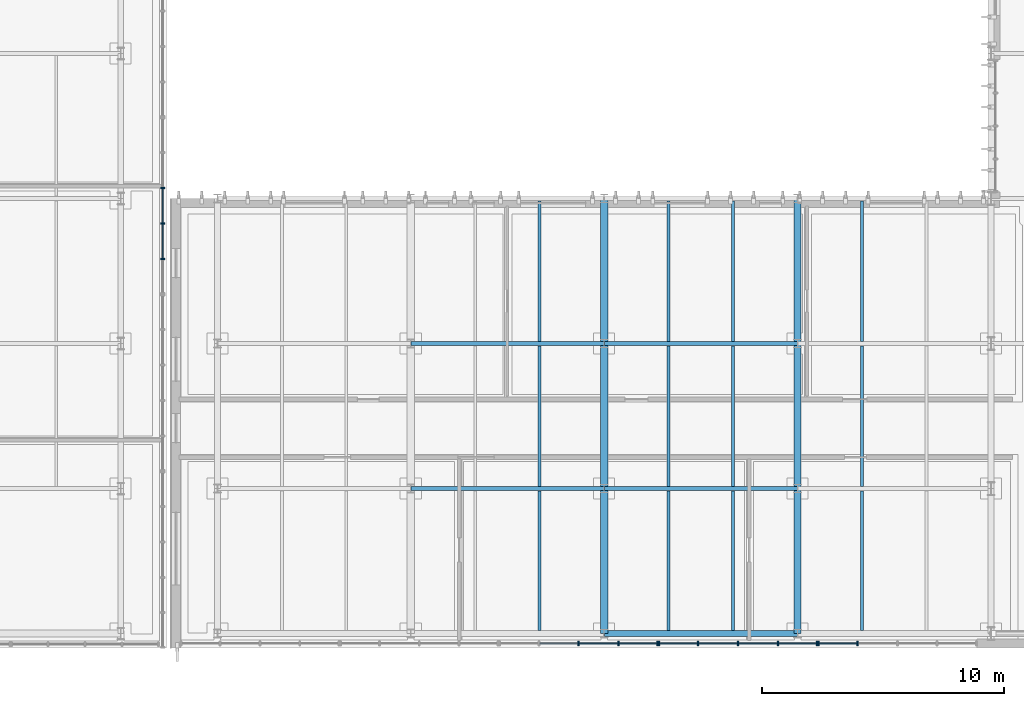
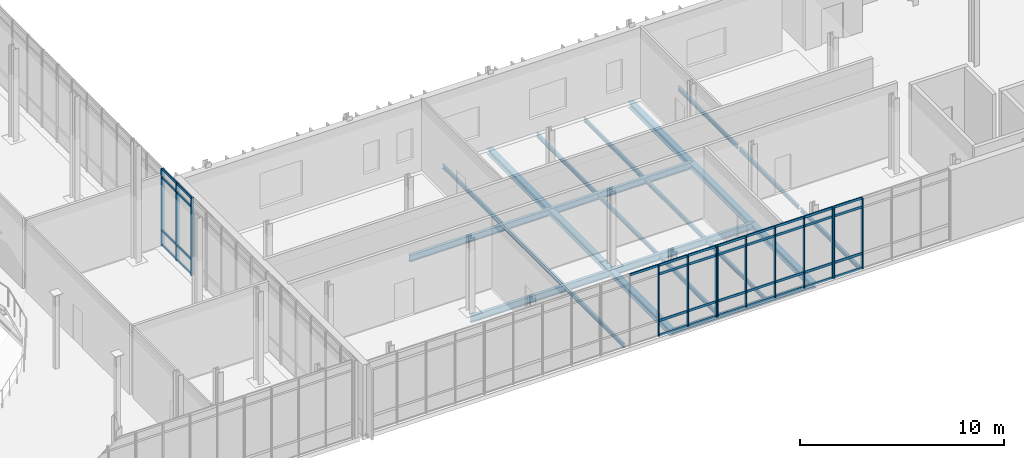
# One storey, part 27 of 86: 50 members, 23 beams, 4 elements without a shape of their own.
"""IFC4 building model written with IfcOpenShell, lengths in metres."""

import ifcopenshell
import ifcopenshell.guid

model = None  # the IFC model being written
_history = None  # IfcOwnerHistory: only IFC2X3 demands one
_inside = {}  # id of a spatial element -> (the spatial element, [elements in it])
_under = {}  # id of a project, library or spatial element -> (it, [spatial elements below it])
_declared = {}  # id of a project -> (the project, [libraries it declares])
_typed = {}  # id of a type object -> (the type object, [elements of that type])
_made_of = {}  # id of a material, layer set ... -> (it, [elements and type objects made of it])


def new_model(schema):
    """Start an empty IFC model of exactly this schema.

    Asked for "IFC4X3", IfcOpenShell would pick the latest addendum, in which some entities
    have other attributes; the version numbers below select the first issue.
    IFC2X3 requires an IfcOwnerHistory on every rooted entity: one is made here for all.
    """
    global model, _history
    if schema == "IFC4X3":
        model = ifcopenshell.file(schema_version=(4, 3, 0, 0))
    else:
        model = ifcopenshell.file(schema=schema)
    _inside.clear()
    _under.clear()
    _declared.clear()
    _typed.clear()
    _made_of.clear()
    _history = None
    if model.schema == "IFC2X3":
        org = make("IfcOrganization", Name="unknown")
        user = make(
            "IfcPersonAndOrganization",
            ThePerson=make("IfcPerson", FamilyName="unknown"),
            TheOrganization=org,
        )
        app = make(
            "IfcApplication",
            ApplicationDeveloper=org,
            Version="unknown",
            ApplicationFullName="unknown",
            ApplicationIdentifier="unknown",
        )
        _history = make(
            "IfcOwnerHistory",
            OwningUser=user,
            OwningApplication=app,
            ChangeAction="ADDED",
            CreationDate=0,
        )
    return model


def make(cls, **values):
    """One entity of the class cls with the attributes given. An attribute that is None is left unset."""
    return model.create_entity(
        cls, **{name: value for name, value in values.items() if value is not None}
    )


def rooted(cls, **values):
    """An entity with a GlobalId (a new one), such as an element, a storey or a relation."""
    return make(cls, GlobalId=ifcopenshell.guid.new(), OwnerHistory=_history, **values)


def si_unit(unit_type, name, prefix=None):
    """IfcSIUnit, for example si_unit("LENGTHUNIT", "METRE", prefix="MILLI")."""
    return make("IfcSIUnit", UnitType=unit_type, Prefix=prefix, Name=name)


def assignment(units):
    """IfcUnitAssignment: the units of a project."""
    return None if units is None else make("IfcUnitAssignment", Units=units)


def point(xyz):
    """IfcCartesianPoint."""
    return None if xyz is None else make("IfcCartesianPoint", Coordinates=xyz)


def direction(xyz):
    """IfcDirection."""
    return None if xyz is None else make("IfcDirection", DirectionRatios=xyz)


def frame(location, z_axis=None, x_axis=None):
    """IfcAxis2Placement3D, a coordinate frame: its origin and axes. An axis left out is left unset."""
    return make(
        "IfcAxis2Placement3D",
        Location=point(location),
        Axis=direction(z_axis),
        RefDirection=direction(x_axis),
    )


def frame_2d(location, x_axis=None):
    """IfcAxis2Placement2D, a coordinate frame in the plane: its origin and x axis."""
    return make(
        "IfcAxis2Placement2D", Location=point(location), RefDirection=direction(x_axis)
    )


def origin():
    """The frame at (0, 0, 0) with its axes left unset."""
    return frame((0.0, 0.0, 0.0))


def origin_2d():
    """The frame at (0, 0) in the plane with its x axis left unset."""
    return frame_2d((0.0, 0.0))


def place(relative_to, where):
    """IfcLocalPlacement: puts the frame where relative to a parent placement (None: the world)."""
    return make(
        "IfcLocalPlacement", PlacementRelTo=relative_to, RelativePlacement=where
    )


def context(
    kind, dimensions, precision=None, world=None, true_north=None, identifier=None
):
    """IfcGeometricRepresentationContext, for example the 3D "Model" context."""
    return make(
        "IfcGeometricRepresentationContext",
        ContextIdentifier=identifier,
        ContextType=kind,
        CoordinateSpaceDimension=dimensions,
        Precision=precision,
        WorldCoordinateSystem=world,
        TrueNorth=true_north,
    )


def subcontext(parent, identifier, kind, view, scale=None):
    """IfcGeometricRepresentationSubContext, for example "Body" below "Model"."""
    return make(
        "IfcGeometricRepresentationSubContext",
        ContextIdentifier=identifier,
        ContextType=kind,
        ParentContext=parent,
        TargetScale=scale,
        TargetView=view,
    )


def project(units=None, contexts=None):
    """IfcProject with its units and contexts."""
    return rooted(
        "IfcProject",
        Name="project",
        RepresentationContexts=contexts,
        UnitsInContext=assignment(units),
    )


def spatial(cls, under=None, at=None, **own):
    """A site, building, storey or space (cls), placed at a placement, below another one or the project."""
    s = rooted(cls, ObjectPlacement=at, **own)
    if under is not None:
        _under.setdefault(under.id(), (under, []))[1].append(s)
    return s


def profile(cls, at=None, kind="AREA", **sizes):
    """A parametric profile (cls). Its sizes go by their IFC names, for example OverallWidth=200.0."""
    return make(cls, ProfileType=kind, Position=at, **sizes)


def rectangle(**sizes):
    """IfcRectangleProfileDef."""
    return profile("IfcRectangleProfileDef", **sizes)


def i_section(**sizes):
    """IfcIShapeProfileDef."""
    return profile("IfcIShapeProfileDef", **sizes)


def extrude(swept, where, along, depth):
    """IfcExtrudedAreaSolid: the profile swept, set in the frame where, extruded along a direction by depth."""
    return make(
        "IfcExtrudedAreaSolid",
        SweptArea=swept,
        Position=where,
        ExtrudedDirection=direction(along),
        Depth=depth,
    )


def shape(context_of_items, identifier, shape_type, items):
    """IfcShapeRepresentation: the items that make up one representation, for example the "Body"."""
    return make(
        "IfcShapeRepresentation",
        ContextOfItems=context_of_items,
        RepresentationIdentifier=identifier,
        RepresentationType=shape_type,
        Items=items,
    )


def material(Name=None, Category=None):
    """IfcMaterial."""
    return make("IfcMaterial", Name=Name, Category=Category)


def material_profile(
    of_material, cross_section, Name=None, Category=None, Priority=None
):
    """IfcMaterialProfile: a cross section and its material."""
    return make(
        "IfcMaterialProfile",
        Name=Name,
        Material=of_material,
        Profile=cross_section,
        Priority=Priority,
        Category=Category,
    )


def profile_set(profiles, Name=None, composite=None):
    """IfcMaterialProfileSet."""
    return make(
        "IfcMaterialProfileSet",
        Name=Name,
        MaterialProfiles=profiles,
        CompositeProfile=composite,
    )


def made_of(thing, what):
    """Note that an element or type object is made of a material, layer set ...; save() writes the relation."""
    if what is not None:
        _made_of.setdefault(what.id(), (what, []))[1].append(thing)
    return thing


def type_object(cls, material=None, **own):
    """A type object (cls), such as IfcWallType, which elements share."""
    return made_of(rooted(cls, **own), material)


def element(
    cls,
    number,
    at=None,
    inside=None,
    cuts=None,
    type_object=None,
    material=None,
    context=None,
    identifier="Body",
    shape_type=None,
    held_by="IfcProductDefinitionShape",
    body=None,
    shapes=None,
    **own,
):
    """One element of the class cls, such as IfcWall. Its Tag is "e" and its number.

    at: its placement. inside: the storey or other place that contains it. cuts: it is an
    opening in that element (IfcRelVoidsElement). A single representation is given by context,
    identifier, shape_type and body (its items); several are given by shapes. held_by: the class
    of the entity that holds the representations. save() writes the other relations.
    """
    e = rooted(cls, Tag="e%d" % number, ObjectPlacement=at, **own)
    if body is not None:
        shapes = [shape(context, identifier, shape_type, body)]
    if shapes is not None:
        e.Representation = make(held_by, Representations=shapes)
    if inside is not None:
        _inside.setdefault(inside.id(), (inside, []))[1].append(e)
    if cuts is not None:
        rooted(
            "IfcRelVoidsElement", RelatingBuildingElement=cuts, RelatedOpeningElement=e
        )
    if type_object is not None:
        _typed.setdefault(type_object.id(), (type_object, []))[1].append(e)
    return made_of(e, material)


def aggregate(whole, parts):
    """IfcRelAggregates: a whole, such as a stair, and the parts it consists of."""
    return rooted("IfcRelAggregates", RelatingObject=whole, RelatedObjects=parts)


def save(model, path):
    """Write the relations noted so far, then the file.

    IfcRelAggregates (storeys below a building ...), IfcRelContainedInSpatialStructure (elements
    in a storey), IfcRelDefinesByType, IfcRelAssociatesMaterial and IfcRelDeclares: one each for
    every whole, place, type object, material and project.
    """
    for whole, parts in _under.values():
        aggregate(whole, parts)
    for where, things in _inside.values():
        rooted(
            "IfcRelContainedInSpatialStructure",
            RelatedElements=things,
            RelatingStructure=where,
        )
    for kind, things in _typed.values():
        rooted("IfcRelDefinesByType", RelatedObjects=things, RelatingType=kind)
    for what, things in _made_of.values():
        rooted("IfcRelAssociatesMaterial", RelatedObjects=things, RelatingMaterial=what)
    for by, libraries in _declared.values():
        rooted("IfcRelDeclares", RelatingContext=by, RelatedDefinitions=libraries)
    model.write(path)


model = new_model("IFC4")

# Units and contexts
model_context = context("Model", 3, precision=1e-05, world=origin(), true_north=direction((0.0, 1.0)))
body_context = subcontext(model_context, "Body", "Model", "MODEL_VIEW")
ifc_project = project(units=[si_unit("LENGTHUNIT", "METRE"), si_unit("AREAUNIT", "SQUARE_METRE"), si_unit("VOLUMEUNIT", "CUBIC_METRE"), si_unit("PLANEANGLEUNIT", "RADIAN"), si_unit("MASSUNIT", "GRAM", prefix="KILO")], contexts=[model_context])

# Site, building, storey
site_placement = place(None, origin())
site = spatial("IfcSite", under=ifc_project, at=site_placement, CompositionType="ELEMENT")
building_placement = place(site_placement, origin())
building = spatial("IfcBuilding", under=site, at=building_placement, Name="Cymarion Research Institute", CompositionType="ELEMENT")
storey_placement = place(building_placement, frame((0.0, 0.0, 13.800048828125)))
storey = spatial("IfcBuildingStorey", under=building, at=storey_placement, Name="L03", CompositionType="ELEMENT", Elevation=13.800048828125)

# Curtain wall, members
ifc_material_1 = material(Name="Anodised aluminium unitised curtain wall with Low-E glazing", Category="aluminium")
curtain_wall_type_1 = type_object("IfcCurtainWallType", Name="UNITISED CURTAIN WALL CW26 6590X4240", PredefinedType="NOTDEFINED", material=ifc_material_1)
curtain_wall_1_placement = place(storey_placement, origin())
curtain_wall_1 = element("IfcCurtainWall", 1, at=curtain_wall_1_placement, inside=storey, type_object=curtain_wall_type_1, Name="L03 V1 unitised curtain wall CW26 #121", PredefinedType="NOTDEFINED")
ifc_material_2 = material(Name="Anodised aluminium framing", Category="aluminium")
ifc_material_profile_1 = material_profile(ifc_material_2, rectangle(XDim=0.06005859375, YDim=0.179931640625, at=origin_2d()), Name="ALU MULLION 60x180")
ifc_profile_set_1 = profile_set([ifc_material_profile_1], Name="Anodised aluminium framing")
member_type_1 = type_object("IfcMemberType", Name="CURTAIN WALL MULLION ML01 60X180", PredefinedType="MULLION", material=ifc_profile_set_1)
member_1_placement = place(storey_placement, frame((121.544677734375, 5.090087890625, 0.0), z_axis=(0.0, 0.0, 1.0), x_axis=(1.0, 0.0, 0.0)))
member_1 = element("IfcMember", 2, at=member_1_placement, type_object=member_type_1, Name="CW26 mullion 3", PredefinedType="MULLION", context=body_context, shape_type="SweptSolid", body=[
    extrude(rectangle(XDim=0.06005859375, YDim=0.179931640625, at=origin_2d()), origin(), (0.0, 0.0, 1.0), 4.239990234375),
])
member_2_placement = place(storey_placement, frame((123.193115234375, 5.090087890625, 0.0), z_axis=(0.0, 0.0, 1.0), x_axis=(1.0, 0.0, 0.0)))
member_2 = element("IfcMember", 3, at=member_2_placement, type_object=member_type_1, Name="CW26 mullion 4", PredefinedType="MULLION", context=body_context, shape_type="SweptSolid", body=[
    extrude(rectangle(XDim=0.06005859375, YDim=0.179931640625, at=origin_2d()), origin(), (0.0, 0.0, 1.0), 4.239990234375),
])
member_3_placement = place(storey_placement, frame((124.811279296875, 5.090087890625, 0.0), z_axis=(0.0, 0.0, 1.0), x_axis=(1.0, 0.0, 0.0)))
member_3 = element("IfcMember", 4, at=member_3_placement, type_object=member_type_1, Name="CW26 mullion 5", PredefinedType="MULLION", context=body_context, shape_type="SweptSolid", body=[
    extrude(rectangle(XDim=0.06005859375, YDim=0.179931640625, at=origin_2d()), origin(), (0.0, 0.0, 1.0), 4.239990234375),
])

curtain_wall_2_placement = place(storey_placement, origin())
curtain_wall_2 = element("IfcCurtainWall", 5, at=curtain_wall_2_placement, inside=storey, type_object=curtain_wall_type_1, Name="L03 V1 unitised curtain wall CW26 #122", PredefinedType="NOTDEFINED")
member_4_placement = place(storey_placement, frame((124.871337890625, 5.090087890625, 0.0), z_axis=(0.0, 0.0, 1.0), x_axis=(1.0, 0.0, 0.0)))
member_4 = element("IfcMember", 6, at=member_4_placement, type_object=member_type_1, Name="CW26 mullion 1", PredefinedType="MULLION", context=body_context, shape_type="SweptSolid", body=[
    extrude(rectangle(XDim=0.06005859375, YDim=0.179931640625, at=origin_2d()), origin(), (0.0, 0.0, 1.0), 4.239990234375),
])
member_5_placement = place(storey_placement, frame((126.489501953125, 5.090087890625, 0.0), z_axis=(0.0, 0.0, 1.0), x_axis=(1.0, 0.0, 0.0)))
member_5 = element("IfcMember", 7, at=member_5_placement, type_object=member_type_1, Name="CW26 mullion 2", PredefinedType="MULLION", context=body_context, shape_type="SweptSolid", body=[
    extrude(rectangle(XDim=0.06005859375, YDim=0.179931640625, at=origin_2d()), origin(), (0.0, 0.0, 1.0), 4.239990234375),
])
member_6_placement = place(storey_placement, frame((128.137939453125, 5.090087890625, 0.0), z_axis=(0.0, 0.0, 1.0), x_axis=(1.0, 0.0, 0.0)))
member_6 = element("IfcMember", 8, at=member_6_placement, type_object=member_type_1, Name="CW26 mullion 3", PredefinedType="MULLION", context=body_context, shape_type="SweptSolid", body=[
    extrude(rectangle(XDim=0.06005859375, YDim=0.179931640625, at=origin_2d()), origin(), (0.0, 0.0, 1.0), 4.239990234375),
])
member_7_placement = place(storey_placement, frame((129.7861328125, 5.090087890625, 0.0), z_axis=(0.0, 0.0, 1.0), x_axis=(1.0, 0.0, 0.0)))
member_7 = element("IfcMember", 9, at=member_7_placement, type_object=member_type_1, Name="CW26 mullion 4", PredefinedType="MULLION", context=body_context, shape_type="SweptSolid", body=[
    extrude(rectangle(XDim=0.06005859375, YDim=0.179931640625, at=origin_2d()), origin(), (0.0, 0.0, 1.0), 4.239990234375),
])
member_8_placement = place(storey_placement, frame((131.404296875, 5.090087890625, 0.0), z_axis=(0.0, 0.0, 1.0), x_axis=(1.0, 0.0, 0.0)))
member_8 = element("IfcMember", 10, at=member_8_placement, type_object=member_type_1, Name="CW26 mullion 5", PredefinedType="MULLION", context=body_context, shape_type="SweptSolid", body=[
    extrude(rectangle(XDim=0.06005859375, YDim=0.179931640625, at=origin_2d()), origin(), (0.0, 0.0, 1.0), 4.239990234375),
])

curtain_wall_3_placement = place(storey_placement, origin())
curtain_wall_3 = element("IfcCurtainWall", 11, at=curtain_wall_3_placement, inside=storey, type_object=curtain_wall_type_1, Name="L03 V1 unitised curtain wall CW26 #123", PredefinedType="NOTDEFINED")
member_9_placement = place(storey_placement, frame((131.46435546875, 5.090087890625, 0.0), z_axis=(0.0, 0.0, 1.0), x_axis=(1.0, 0.0, 0.0)))
member_9 = element("IfcMember", 12, at=member_9_placement, type_object=member_type_1, Name="CW26 mullion 1", PredefinedType="MULLION", context=body_context, shape_type="SweptSolid", body=[
    extrude(rectangle(XDim=0.06005859375, YDim=0.179931640625, at=origin_2d()), origin(), (0.0, 0.0, 1.0), 4.239990234375),
])
member_10_placement = place(storey_placement, frame((133.082763671875, 5.090087890625, 0.0), z_axis=(0.0, 0.0, 1.0), x_axis=(1.0, 0.0, 0.0)))
member_10 = element("IfcMember", 13, at=member_10_placement, type_object=member_type_1, Name="CW26 mullion 2", PredefinedType="MULLION", context=body_context, shape_type="SweptSolid", body=[
    extrude(rectangle(XDim=0.06005859375, YDim=0.179931640625, at=origin_2d()), origin(), (0.0, 0.0, 1.0), 4.239990234375),
])

curtain_wall_type_2 = type_object("IfcCurtainWallType", Name="UNITISED CURTAIN WALL CW28 7320X4620", PredefinedType="NOTDEFINED", material=ifc_material_1)
curtain_wall_4_placement = place(storey_placement, origin())
curtain_wall_4 = element("IfcCurtainWall", 14, at=curtain_wall_4_placement, inside=storey, type_object=curtain_wall_type_2, Name="L03 V2 unitised curtain wall CW28 #139", PredefinedType="NOTDEFINED")
member_11_placement = place(storey_placement, frame((104.340087890625, 21.00390625, 0.0), z_axis=(0.0, 0.0, 1.0), x_axis=(0.0, 1.0, 0.0)))
member_11 = element("IfcMember", 15, at=member_11_placement, type_object=member_type_1, Name="CW28 mullion 2", PredefinedType="MULLION", context=body_context, shape_type="SweptSolid", body=[
    extrude(rectangle(XDim=0.06005859375, YDim=0.179931640625, at=origin_2d()), origin(), (0.0, 0.0, 1.0), 4.619873046875),
])
member_12_placement = place(storey_placement, frame((104.340087890625, 22.468017578125, 0.0), z_axis=(0.0, 0.0, 1.0), x_axis=(0.0, 1.0, 0.0)))
member_12 = element("IfcMember", 16, at=member_12_placement, type_object=member_type_1, Name="CW28 mullion 3", PredefinedType="MULLION", context=body_context, shape_type="SweptSolid", body=[
    extrude(rectangle(XDim=0.06005859375, YDim=0.179931640625, at=origin_2d()), origin(), (0.0, 0.0, 1.0), 4.619873046875),
])
member_13_placement = place(storey_placement, frame((104.340087890625, 23.931884765625, 0.0), z_axis=(0.0, 0.0, 1.0), x_axis=(0.0, 1.0, 0.0)))
member_13 = element("IfcMember", 17, at=member_13_placement, type_object=member_type_1, Name="CW28 mullion 4", PredefinedType="MULLION", context=body_context, shape_type="SweptSolid", body=[
    extrude(rectangle(XDim=0.06005859375, YDim=0.179931640625, at=origin_2d()), origin(), (0.0, 0.0, 1.0), 4.619873046875),
])

# Member
ifc_material_profile_2 = material_profile(ifc_material_2, rectangle(XDim=0.06005859375, YDim=0.14990234375, at=origin_2d()), Name="ALU TRANSOM 60x150")
ifc_profile_set_2 = profile_set([ifc_material_profile_2], Name="Anodised aluminium framing")
member_type_2 = type_object("IfcMemberType", Name="CURTAIN WALL TRANSOM TR01 60X150", PredefinedType="USERDEFINED", material=ifc_profile_set_2)
member_14_placement = place(storey_placement, frame((119.926513671875, 5.090087890625, 4.2099609375), z_axis=(1.0, 0.0, 0.0), x_axis=(0.0, 1.0, 0.0)))
member_14 = element("IfcMember", 18, at=member_14_placement, type_object=member_type_2, Name="CW26 transom 2.4", ObjectType="TRANSOM", PredefinedType="USERDEFINED", context=body_context, shape_type="SweptSolid", body=[
    extrude(rectangle(XDim=0.06005859375, YDim=0.14990234375, at=origin_2d()), origin(), (0.0, 0.0, 1.0), 1.588134765625),
])

member_15_placement = place(storey_placement, frame((121.57470703125, 5.090087890625, 0.030029296875), z_axis=(1.0, 0.0, 0.0), x_axis=(0.0, 1.0, 0.0)))
member_15 = element("IfcMember", 19, at=member_15_placement, type_object=member_type_2, Name="CW26 transom 3.1", ObjectType="TRANSOM", PredefinedType="USERDEFINED", context=body_context, shape_type="SweptSolid", body=[
    extrude(rectangle(XDim=0.06005859375, YDim=0.14990234375, at=origin_2d()), origin(), (0.0, 0.0, 1.0), 1.58837890625),
])

member_16_placement = place(storey_placement, frame((121.57470703125, 5.090087890625, 0.89990234375), z_axis=(1.0, 0.0, 0.0), x_axis=(0.0, 1.0, 0.0)))
member_16 = element("IfcMember", 20, at=member_16_placement, type_object=member_type_2, Name="CW26 transom 3.2", ObjectType="TRANSOM", PredefinedType="USERDEFINED", context=body_context, shape_type="SweptSolid", body=[
    extrude(rectangle(XDim=0.06005859375, YDim=0.14990234375, at=origin_2d()), origin(), (0.0, 0.0, 1.0), 1.58837890625),
])

member_17_placement = place(storey_placement, frame((121.57470703125, 5.090087890625, 3.68994140625), z_axis=(1.0, 0.0, 0.0), x_axis=(0.0, 1.0, 0.0)))
member_17 = element("IfcMember", 21, at=member_17_placement, type_object=member_type_2, Name="CW26 transom 3.3", ObjectType="TRANSOM", PredefinedType="USERDEFINED", context=body_context, shape_type="SweptSolid", body=[
    extrude(rectangle(XDim=0.06005859375, YDim=0.14990234375, at=origin_2d()), origin(), (0.0, 0.0, 1.0), 1.58837890625),
])

member_18_placement = place(storey_placement, frame((121.57470703125, 5.090087890625, 4.2099609375), z_axis=(1.0, 0.0, 0.0), x_axis=(0.0, 1.0, 0.0)))
member_18 = element("IfcMember", 22, at=member_18_placement, type_object=member_type_2, Name="CW26 transom 3.4", ObjectType="TRANSOM", PredefinedType="USERDEFINED", context=body_context, shape_type="SweptSolid", body=[
    extrude(rectangle(XDim=0.06005859375, YDim=0.14990234375, at=origin_2d()), origin(), (0.0, 0.0, 1.0), 1.58837890625),
])

member_19_placement = place(storey_placement, frame((123.22314453125, 5.090087890625, 0.030029296875), z_axis=(1.0, 0.0, 0.0), x_axis=(0.0, 1.0, 0.0)))
member_19 = element("IfcMember", 23, at=member_19_placement, type_object=member_type_2, Name="CW26 transom 4.1", ObjectType="TRANSOM", PredefinedType="USERDEFINED", context=body_context, shape_type="SweptSolid", body=[
    extrude(rectangle(XDim=0.06005859375, YDim=0.14990234375, at=origin_2d()), origin(), (0.0, 0.0, 1.0), 1.55810546875),
])

member_20_placement = place(storey_placement, frame((123.22314453125, 5.090087890625, 0.89990234375), z_axis=(1.0, 0.0, 0.0), x_axis=(0.0, 1.0, 0.0)))
member_20 = element("IfcMember", 24, at=member_20_placement, type_object=member_type_2, Name="CW26 transom 4.2", ObjectType="TRANSOM", PredefinedType="USERDEFINED", context=body_context, shape_type="SweptSolid", body=[
    extrude(rectangle(XDim=0.06005859375, YDim=0.14990234375, at=origin_2d()), origin(), (0.0, 0.0, 1.0), 1.55810546875),
])

member_21_placement = place(storey_placement, frame((123.22314453125, 5.090087890625, 3.68994140625), z_axis=(1.0, 0.0, 0.0), x_axis=(0.0, 1.0, 0.0)))
member_21 = element("IfcMember", 25, at=member_21_placement, type_object=member_type_2, Name="CW26 transom 4.3", ObjectType="TRANSOM", PredefinedType="USERDEFINED", context=body_context, shape_type="SweptSolid", body=[
    extrude(rectangle(XDim=0.06005859375, YDim=0.14990234375, at=origin_2d()), origin(), (0.0, 0.0, 1.0), 1.55810546875),
])

member_22_placement = place(storey_placement, frame((123.22314453125, 5.090087890625, 4.2099609375), z_axis=(1.0, 0.0, 0.0), x_axis=(0.0, 1.0, 0.0)))
member_22 = element("IfcMember", 26, at=member_22_placement, type_object=member_type_2, Name="CW26 transom 4.4", ObjectType="TRANSOM", PredefinedType="USERDEFINED", context=body_context, shape_type="SweptSolid", body=[
    extrude(rectangle(XDim=0.06005859375, YDim=0.14990234375, at=origin_2d()), origin(), (0.0, 0.0, 1.0), 1.55810546875),
])

aggregate(curtain_wall_1, [member_1, member_2, member_3, member_14, member_15, member_16, member_17, member_18, member_19, member_20, member_21, member_22])

member_23_placement = place(storey_placement, frame((124.9013671875, 5.090087890625, 0.030029296875), z_axis=(1.0, 0.0, 0.0), x_axis=(0.0, 1.0, 0.0)))
member_23 = element("IfcMember", 27, at=member_23_placement, type_object=member_type_2, Name="CW26 transom 1.1", ObjectType="TRANSOM", PredefinedType="USERDEFINED", context=body_context, shape_type="SweptSolid", body=[
    extrude(rectangle(XDim=0.06005859375, YDim=0.14990234375, at=origin_2d()), origin(), (0.0, 0.0, 1.0), 1.55810546875),
])

member_24_placement = place(storey_placement, frame((124.9013671875, 5.090087890625, 0.89990234375), z_axis=(1.0, 0.0, 0.0), x_axis=(0.0, 1.0, 0.0)))
member_24 = element("IfcMember", 28, at=member_24_placement, type_object=member_type_2, Name="CW26 transom 1.2", ObjectType="TRANSOM", PredefinedType="USERDEFINED", context=body_context, shape_type="SweptSolid", body=[
    extrude(rectangle(XDim=0.06005859375, YDim=0.14990234375, at=origin_2d()), origin(), (0.0, 0.0, 1.0), 1.55810546875),
])

member_25_placement = place(storey_placement, frame((124.9013671875, 5.090087890625, 3.68994140625), z_axis=(1.0, 0.0, 0.0), x_axis=(0.0, 1.0, 0.0)))
member_25 = element("IfcMember", 29, at=member_25_placement, type_object=member_type_2, Name="CW26 transom 1.3", ObjectType="TRANSOM", PredefinedType="USERDEFINED", context=body_context, shape_type="SweptSolid", body=[
    extrude(rectangle(XDim=0.06005859375, YDim=0.14990234375, at=origin_2d()), origin(), (0.0, 0.0, 1.0), 1.55810546875),
])

member_26_placement = place(storey_placement, frame((124.9013671875, 5.090087890625, 4.2099609375), z_axis=(1.0, 0.0, 0.0), x_axis=(0.0, 1.0, 0.0)))
member_26 = element("IfcMember", 30, at=member_26_placement, type_object=member_type_2, Name="CW26 transom 1.4", ObjectType="TRANSOM", PredefinedType="USERDEFINED", context=body_context, shape_type="SweptSolid", body=[
    extrude(rectangle(XDim=0.06005859375, YDim=0.14990234375, at=origin_2d()), origin(), (0.0, 0.0, 1.0), 1.55810546875),
])

member_27_placement = place(storey_placement, frame((126.51953125, 5.090087890625, 0.030029296875), z_axis=(1.0, 0.0, 0.0), x_axis=(0.0, 1.0, 0.0)))
member_27 = element("IfcMember", 31, at=member_27_placement, type_object=member_type_2, Name="CW26 transom 2.1", ObjectType="TRANSOM", PredefinedType="USERDEFINED", context=body_context, shape_type="SweptSolid", body=[
    extrude(rectangle(XDim=0.06005859375, YDim=0.14990234375, at=origin_2d()), origin(), (0.0, 0.0, 1.0), 1.58837890625),
])

member_28_placement = place(storey_placement, frame((126.51953125, 5.090087890625, 0.89990234375), z_axis=(1.0, 0.0, 0.0), x_axis=(0.0, 1.0, 0.0)))
member_28 = element("IfcMember", 32, at=member_28_placement, type_object=member_type_2, Name="CW26 transom 2.2", ObjectType="TRANSOM", PredefinedType="USERDEFINED", context=body_context, shape_type="SweptSolid", body=[
    extrude(rectangle(XDim=0.06005859375, YDim=0.14990234375, at=origin_2d()), origin(), (0.0, 0.0, 1.0), 1.58837890625),
])

member_29_placement = place(storey_placement, frame((126.51953125, 5.090087890625, 3.68994140625), z_axis=(1.0, 0.0, 0.0), x_axis=(0.0, 1.0, 0.0)))
member_29 = element("IfcMember", 33, at=member_29_placement, type_object=member_type_2, Name="CW26 transom 2.3", ObjectType="TRANSOM", PredefinedType="USERDEFINED", context=body_context, shape_type="SweptSolid", body=[
    extrude(rectangle(XDim=0.06005859375, YDim=0.14990234375, at=origin_2d()), origin(), (0.0, 0.0, 1.0), 1.58837890625),
])

member_30_placement = place(storey_placement, frame((126.51953125, 5.090087890625, 4.2099609375), z_axis=(1.0, 0.0, 0.0), x_axis=(0.0, 1.0, 0.0)))
member_30 = element("IfcMember", 34, at=member_30_placement, type_object=member_type_2, Name="CW26 transom 2.4", ObjectType="TRANSOM", PredefinedType="USERDEFINED", context=body_context, shape_type="SweptSolid", body=[
    extrude(rectangle(XDim=0.06005859375, YDim=0.14990234375, at=origin_2d()), origin(), (0.0, 0.0, 1.0), 1.58837890625),
])

member_31_placement = place(storey_placement, frame((128.16796875, 5.090087890625, 0.030029296875), z_axis=(1.0, 0.0, 0.0), x_axis=(0.0, 1.0, 0.0)))
member_31 = element("IfcMember", 35, at=member_31_placement, type_object=member_type_2, Name="CW26 transom 3.1", ObjectType="TRANSOM", PredefinedType="USERDEFINED", context=body_context, shape_type="SweptSolid", body=[
    extrude(rectangle(XDim=0.06005859375, YDim=0.14990234375, at=origin_2d()), origin(), (0.0, 0.0, 1.0), 1.588134765625),
])

member_32_placement = place(storey_placement, frame((128.16796875, 5.090087890625, 0.89990234375), z_axis=(1.0, 0.0, 0.0), x_axis=(0.0, 1.0, 0.0)))
member_32 = element("IfcMember", 36, at=member_32_placement, type_object=member_type_2, Name="CW26 transom 3.2", ObjectType="TRANSOM", PredefinedType="USERDEFINED", context=body_context, shape_type="SweptSolid", body=[
    extrude(rectangle(XDim=0.06005859375, YDim=0.14990234375, at=origin_2d()), origin(), (0.0, 0.0, 1.0), 1.588134765625),
])

member_33_placement = place(storey_placement, frame((128.16796875, 5.090087890625, 3.68994140625), z_axis=(1.0, 0.0, 0.0), x_axis=(0.0, 1.0, 0.0)))
member_33 = element("IfcMember", 37, at=member_33_placement, type_object=member_type_2, Name="CW26 transom 3.3", ObjectType="TRANSOM", PredefinedType="USERDEFINED", context=body_context, shape_type="SweptSolid", body=[
    extrude(rectangle(XDim=0.06005859375, YDim=0.14990234375, at=origin_2d()), origin(), (0.0, 0.0, 1.0), 1.588134765625),
])

member_34_placement = place(storey_placement, frame((128.16796875, 5.090087890625, 4.2099609375), z_axis=(1.0, 0.0, 0.0), x_axis=(0.0, 1.0, 0.0)))
member_34 = element("IfcMember", 38, at=member_34_placement, type_object=member_type_2, Name="CW26 transom 3.4", ObjectType="TRANSOM", PredefinedType="USERDEFINED", context=body_context, shape_type="SweptSolid", body=[
    extrude(rectangle(XDim=0.06005859375, YDim=0.14990234375, at=origin_2d()), origin(), (0.0, 0.0, 1.0), 1.588134765625),
])

member_35_placement = place(storey_placement, frame((129.816162109375, 5.090087890625, 0.030029296875), z_axis=(1.0, 0.0, 0.0), x_axis=(0.0, 1.0, 0.0)))
member_35 = element("IfcMember", 39, at=member_35_placement, type_object=member_type_2, Name="CW26 transom 4.1", ObjectType="TRANSOM", PredefinedType="USERDEFINED", context=body_context, shape_type="SweptSolid", body=[
    extrude(rectangle(XDim=0.06005859375, YDim=0.14990234375, at=origin_2d()), origin(), (0.0, 0.0, 1.0), 1.558349609375),
])

member_36_placement = place(storey_placement, frame((129.816162109375, 5.090087890625, 0.89990234375), z_axis=(1.0, 0.0, 0.0), x_axis=(0.0, 1.0, 0.0)))
member_36 = element("IfcMember", 40, at=member_36_placement, type_object=member_type_2, Name="CW26 transom 4.2", ObjectType="TRANSOM", PredefinedType="USERDEFINED", context=body_context, shape_type="SweptSolid", body=[
    extrude(rectangle(XDim=0.06005859375, YDim=0.14990234375, at=origin_2d()), origin(), (0.0, 0.0, 1.0), 1.558349609375),
])

member_37_placement = place(storey_placement, frame((129.816162109375, 5.090087890625, 3.68994140625), z_axis=(1.0, 0.0, 0.0), x_axis=(0.0, 1.0, 0.0)))
member_37 = element("IfcMember", 41, at=member_37_placement, type_object=member_type_2, Name="CW26 transom 4.3", ObjectType="TRANSOM", PredefinedType="USERDEFINED", context=body_context, shape_type="SweptSolid", body=[
    extrude(rectangle(XDim=0.06005859375, YDim=0.14990234375, at=origin_2d()), origin(), (0.0, 0.0, 1.0), 1.558349609375),
])

member_38_placement = place(storey_placement, frame((129.816162109375, 5.090087890625, 4.2099609375), z_axis=(1.0, 0.0, 0.0), x_axis=(0.0, 1.0, 0.0)))
member_38 = element("IfcMember", 42, at=member_38_placement, type_object=member_type_2, Name="CW26 transom 4.4", ObjectType="TRANSOM", PredefinedType="USERDEFINED", context=body_context, shape_type="SweptSolid", body=[
    extrude(rectangle(XDim=0.06005859375, YDim=0.14990234375, at=origin_2d()), origin(), (0.0, 0.0, 1.0), 1.558349609375),
])

aggregate(curtain_wall_2, [member_4, member_5, member_6, member_7, member_8, member_23, member_24, member_25, member_26, member_27, member_28, member_29, member_30, member_31, member_32, member_33, member_34, member_35, member_36, member_37, member_38])

member_39_placement = place(storey_placement, frame((131.494384765625, 5.090087890625, 0.030029296875), z_axis=(1.0, 0.0, 0.0), x_axis=(0.0, 1.0, 0.0)))
member_39 = element("IfcMember", 43, at=member_39_placement, type_object=member_type_2, Name="CW26 transom 1.1", ObjectType="TRANSOM", PredefinedType="USERDEFINED", context=body_context, shape_type="SweptSolid", body=[
    extrude(rectangle(XDim=0.06005859375, YDim=0.14990234375, at=origin_2d()), origin(), (0.0, 0.0, 1.0), 1.558349609375),
])

member_40_placement = place(storey_placement, frame((131.494384765625, 5.090087890625, 0.89990234375), z_axis=(1.0, 0.0, 0.0), x_axis=(0.0, 1.0, 0.0)))
member_40 = element("IfcMember", 44, at=member_40_placement, type_object=member_type_2, Name="CW26 transom 1.2", ObjectType="TRANSOM", PredefinedType="USERDEFINED", context=body_context, shape_type="SweptSolid", body=[
    extrude(rectangle(XDim=0.06005859375, YDim=0.14990234375, at=origin_2d()), origin(), (0.0, 0.0, 1.0), 1.558349609375),
])

member_41_placement = place(storey_placement, frame((131.494384765625, 5.090087890625, 3.68994140625), z_axis=(1.0, 0.0, 0.0), x_axis=(0.0, 1.0, 0.0)))
member_41 = element("IfcMember", 45, at=member_41_placement, type_object=member_type_2, Name="CW26 transom 1.3", ObjectType="TRANSOM", PredefinedType="USERDEFINED", context=body_context, shape_type="SweptSolid", body=[
    extrude(rectangle(XDim=0.06005859375, YDim=0.14990234375, at=origin_2d()), origin(), (0.0, 0.0, 1.0), 1.558349609375),
])

member_42_placement = place(storey_placement, frame((131.494384765625, 5.090087890625, 4.2099609375), z_axis=(1.0, 0.0, 0.0), x_axis=(0.0, 1.0, 0.0)))
member_42 = element("IfcMember", 46, at=member_42_placement, type_object=member_type_2, Name="CW26 transom 1.4", ObjectType="TRANSOM", PredefinedType="USERDEFINED", context=body_context, shape_type="SweptSolid", body=[
    extrude(rectangle(XDim=0.06005859375, YDim=0.14990234375, at=origin_2d()), origin(), (0.0, 0.0, 1.0), 1.558349609375),
])

aggregate(curtain_wall_3, [member_9, member_10, member_39, member_40, member_41, member_42])

member_43_placement = place(storey_placement, frame((104.340087890625, 21.033935546875, 0.030029296875), z_axis=(0.0, 1.0, 0.0), x_axis=(-1.0, 0.0, 0.0)))
member_43 = element("IfcMember", 47, at=member_43_placement, type_object=member_type_2, Name="CW28 transom 2.1", ObjectType="TRANSOM", PredefinedType="USERDEFINED", context=body_context, shape_type="SweptSolid", body=[
    extrude(rectangle(XDim=0.06005859375, YDim=0.14990234375, at=origin_2d()), origin(), (0.0, 0.0, 1.0), 1.404052734375),
])

member_44_placement = place(storey_placement, frame((104.340087890625, 21.033935546875, 0.89990234375), z_axis=(0.0, 1.0, 0.0), x_axis=(-1.0, 0.0, 0.0)))
member_44 = element("IfcMember", 48, at=member_44_placement, type_object=member_type_2, Name="CW28 transom 2.2", ObjectType="TRANSOM", PredefinedType="USERDEFINED", context=body_context, shape_type="SweptSolid", body=[
    extrude(rectangle(XDim=0.06005859375, YDim=0.14990234375, at=origin_2d()), origin(), (0.0, 0.0, 1.0), 1.404052734375),
])

member_45_placement = place(storey_placement, frame((104.340087890625, 21.033935546875, 4.070068359375), z_axis=(0.0, 1.0, 0.0), x_axis=(-1.0, 0.0, 0.0)))
member_45 = element("IfcMember", 49, at=member_45_placement, type_object=member_type_2, Name="CW28 transom 2.3", ObjectType="TRANSOM", PredefinedType="USERDEFINED", context=body_context, shape_type="SweptSolid", body=[
    extrude(rectangle(XDim=0.06005859375, YDim=0.14990234375, at=origin_2d()), origin(), (0.0, 0.0, 1.0), 1.404052734375),
])

member_46_placement = place(storey_placement, frame((104.340087890625, 21.033935546875, 4.58984375), z_axis=(0.0, 1.0, 0.0), x_axis=(-1.0, 0.0, 0.0)))
member_46 = element("IfcMember", 50, at=member_46_placement, type_object=member_type_2, Name="CW28 transom 2.4", ObjectType="TRANSOM", PredefinedType="USERDEFINED", context=body_context, shape_type="SweptSolid", body=[
    extrude(rectangle(XDim=0.06005859375, YDim=0.14990234375, at=origin_2d()), origin(), (0.0, 0.0, 1.0), 1.404052734375),
])

member_47_placement = place(storey_placement, frame((104.340087890625, 22.498046875, 0.030029296875), z_axis=(0.0, 1.0, 0.0), x_axis=(-1.0, 0.0, 0.0)))
member_47 = element("IfcMember", 51, at=member_47_placement, type_object=member_type_2, Name="CW28 transom 3.1", ObjectType="TRANSOM", PredefinedType="USERDEFINED", context=body_context, shape_type="SweptSolid", body=[
    extrude(rectangle(XDim=0.06005859375, YDim=0.14990234375, at=origin_2d()), origin(), (0.0, 0.0, 1.0), 1.404052734375),
])

member_48_placement = place(storey_placement, frame((104.340087890625, 22.498046875, 0.89990234375), z_axis=(0.0, 1.0, 0.0), x_axis=(-1.0, 0.0, 0.0)))
member_48 = element("IfcMember", 52, at=member_48_placement, type_object=member_type_2, Name="CW28 transom 3.2", ObjectType="TRANSOM", PredefinedType="USERDEFINED", context=body_context, shape_type="SweptSolid", body=[
    extrude(rectangle(XDim=0.06005859375, YDim=0.14990234375, at=origin_2d()), origin(), (0.0, 0.0, 1.0), 1.404052734375),
])

member_49_placement = place(storey_placement, frame((104.340087890625, 22.498046875, 4.070068359375), z_axis=(0.0, 1.0, 0.0), x_axis=(-1.0, 0.0, 0.0)))
member_49 = element("IfcMember", 53, at=member_49_placement, type_object=member_type_2, Name="CW28 transom 3.3", ObjectType="TRANSOM", PredefinedType="USERDEFINED", context=body_context, shape_type="SweptSolid", body=[
    extrude(rectangle(XDim=0.06005859375, YDim=0.14990234375, at=origin_2d()), origin(), (0.0, 0.0, 1.0), 1.404052734375),
])

member_50_placement = place(storey_placement, frame((104.340087890625, 22.498046875, 4.58984375), z_axis=(0.0, 1.0, 0.0), x_axis=(-1.0, 0.0, 0.0)))
member_50 = element("IfcMember", 54, at=member_50_placement, type_object=member_type_2, Name="CW28 transom 3.4", ObjectType="TRANSOM", PredefinedType="USERDEFINED", context=body_context, shape_type="SweptSolid", body=[
    extrude(rectangle(XDim=0.06005859375, YDim=0.14990234375, at=origin_2d()), origin(), (0.0, 0.0, 1.0), 1.404052734375),
])

aggregate(curtain_wall_4, [member_11, member_12, member_13, member_43, member_44, member_45, member_46, member_47, member_48, member_49, member_50])

# Beams
ifc_material_3 = material(Name="Steel S355", Category="steel")
ifc_material_profile_3 = material_profile(ifc_material_3, i_section(OverallWidth=0.179931640625, OverallDepth=0.39990234375, WebThickness=0.008544921875, FlangeThickness=0.013427734375, FilletRadius=0.02099609375, at=origin_2d()), Name="IPE 400")
ifc_profile_set_3 = profile_set([ifc_material_profile_3], Name="Steel S355")
beam_type_1 = type_object("IfcBeamType", Name="PRIMARY GIRDER BM05 IPE 400", PredefinedType="BEAM", material=ifc_profile_set_3)
for number, where, z_axis, x_axis, name in (
    (55, (114.60595703125, 11.5, -0.449951171875), (1.0, 0.0, 0.0), (0.0, 1.0, 0.0), "L03 V1 girder BM05 #1175"),
    (56, (122.60595703125, 11.5, -0.449951171875), (1.0, 0.0, 0.0), (0.0, 1.0, 0.0), "L03 V1 girder BM05 #1176"),
    (57, (114.60595703125, 17.5, -0.449951171875), (1.0, 0.0, 0.0), (0.0, 1.0, 0.0), "L03 V1 girder BM05 #1179"),
    (58, (122.60595703125, 17.5, -0.449951171875), (1.0, 0.0, 0.0), (0.0, 1.0, 0.0), "L03 V1 girder BM05 #1180"),
):
    element("IfcBeam", number, at=place(storey_placement, frame(where, z_axis=z_axis, x_axis=x_axis)), inside=storey, type_object=beam_type_1, Name=name, PredefinedType="BEAM", context=body_context, shape_type="SweptSolid", body=[
        extrude(i_section(OverallWidth=0.179931640625, OverallDepth=0.39990234375, WebThickness=0.008544921875, FlangeThickness=0.013427734375, FilletRadius=0.02099609375, at=origin_2d()), origin(), (0.0, 0.0, 1.0), 7.988037109375),
    ])
ifc_material_profile_4 = material_profile(ifc_material_3, i_section(OverallWidth=0.300048828125, OverallDepth=0.35009765625, WebThickness=0.010009765625, FlangeThickness=0.017578125, FilletRadius=0.027099609375, at=origin_2d()), Name="HEA 360")
ifc_profile_set_4 = profile_set([ifc_material_profile_4], Name="Steel S355")
beam_type_2 = type_object("IfcBeamType", Name="PRIMARY GIRDER BM12 HEA 360", PredefinedType="BEAM", material=ifc_profile_set_4)
for number, where, z_axis, x_axis, name in (
    (59, (122.60009765625, 5.506103515625, -0.425048828125), (0.0, 1.0, 0.0), (-1.0, 0.0, 0.0), "L03 V1 girder BM12 #1202"),
    (60, (122.60009765625, 11.506103515625, -0.425048828125), (0.0, 1.0, 0.0), (-1.0, 0.0, 0.0), "L03 V1 girder BM12 #1203"),
    (61, (122.60009765625, 17.506103515625, -0.425048828125), (0.0, 1.0, 0.0), (-1.0, 0.0, 0.0), "L03 V1 girder BM12 #1204"),
    (62, (130.60009765625, 5.506103515625, -0.425048828125), (0.0, 1.0, 0.0), (-1.0, 0.0, 0.0), "L03 V1 girder BM12 #1205"),
    (63, (130.60009765625, 11.506103515625, -0.425048828125), (0.0, 1.0, 0.0), (-1.0, 0.0, 0.0), "L03 V1 girder BM12 #1206"),
    (64, (130.60009765625, 17.506103515625, -0.425048828125), (0.0, 1.0, 0.0), (-1.0, 0.0, 0.0), "L03 V1 girder BM12 #1207"),
):
    element("IfcBeam", number, at=place(storey_placement, frame(where, z_axis=z_axis, x_axis=x_axis)), inside=storey, type_object=beam_type_2, Name=name, PredefinedType="BEAM", context=body_context, shape_type="SweptSolid", body=[
        extrude(i_section(OverallWidth=0.300048828125, OverallDepth=0.35009765625, WebThickness=0.010009765625, FlangeThickness=0.017578125, FilletRadius=0.027099609375, at=origin_2d()), origin(), (0.0, 0.0, 1.0), 5.98779296875),
    ])
ifc_material_profile_5 = material_profile(ifc_material_3, i_section(OverallWidth=0.1201171875, OverallDepth=0.239990234375, WebThickness=0.006103515625, FlangeThickness=0.009765625, FilletRadius=0.014892578125, at=origin_2d()), Name="IPE 240")
ifc_profile_set_5 = profile_set([ifc_material_profile_5], Name="Steel S355")
beam_type_3 = type_object("IfcBeamType", Name="SECONDARY JOIST JS04 IPE 240", PredefinedType="JOIST", material=ifc_profile_set_5)
for number, where, z_axis, x_axis, name in (
    (65, (119.933349609375, 5.6240234375, -0.3701171875), (0.0, 1.0, 0.0), (-1.0, 0.0, 0.0), "L03 V1 secondary joist JS04 #1244"),
    (66, (125.2666015625, 5.6240234375, -0.3701171875), (0.0, 1.0, 0.0), (-1.0, 0.0, 0.0), "L03 V1 secondary joist JS04 #1245"),
    (67, (127.933349609375, 5.6240234375, -0.3701171875), (0.0, 1.0, 0.0), (-1.0, 0.0, 0.0), "L03 V1 secondary joist JS04 #1246"),
    (68, (133.2666015625, 5.6240234375, -0.3701171875), (0.0, 1.0, 0.0), (-1.0, 0.0, 0.0), "L03 V1 secondary joist JS04 #1247"),
):
    element("IfcBeam", number, at=place(storey_placement, frame(where, z_axis=z_axis, x_axis=x_axis)), inside=storey, type_object=beam_type_3, Name=name, PredefinedType="JOIST", context=body_context, shape_type="SweptSolid", body=[
        extrude(i_section(OverallWidth=0.1201171875, OverallDepth=0.239990234375, WebThickness=0.006103515625, FlangeThickness=0.009765625, FilletRadius=0.014892578125, at=origin_2d()), origin(), (0.0, 0.0, 1.0), 5.781982421875),
    ])
for number, where, z_axis, x_axis, name in (
    (69, (119.933349609375, 11.593994140625, -0.3701171875), (0.0, 1.0, 0.0), (-1.0, 0.0, 0.0), "L03 V1 secondary joist JS04 #1252"),
    (70, (125.2666015625, 11.593994140625, -0.3701171875), (0.0, 1.0, 0.0), (-1.0, 0.0, 0.0), "L03 V1 secondary joist JS04 #1253"),
    (71, (127.933349609375, 11.593994140625, -0.3701171875), (0.0, 1.0, 0.0), (-1.0, 0.0, 0.0), "L03 V1 secondary joist JS04 #1254"),
    (72, (133.2666015625, 11.593994140625, -0.3701171875), (0.0, 1.0, 0.0), (-1.0, 0.0, 0.0), "L03 V1 secondary joist JS04 #1255"),
    (73, (119.933349609375, 17.593994140625, -0.3701171875), (0.0, 1.0, 0.0), (-1.0, 0.0, 0.0), "L03 V1 secondary joist JS04 #1260"),
    (74, (125.2666015625, 17.593994140625, -0.3701171875), (0.0, 1.0, 0.0), (-1.0, 0.0, 0.0), "L03 V1 secondary joist JS04 #1261"),
    (75, (127.933349609375, 17.593994140625, -0.3701171875), (0.0, 1.0, 0.0), (-1.0, 0.0, 0.0), "L03 V1 secondary joist JS04 #1262"),
    (76, (133.2666015625, 17.593994140625, -0.3701171875), (0.0, 1.0, 0.0), (-1.0, 0.0, 0.0), "L03 V1 secondary joist JS04 #1263"),
):
    element("IfcBeam", number, at=place(storey_placement, frame(where, z_axis=z_axis, x_axis=x_axis)), inside=storey, type_object=beam_type_3, Name=name, PredefinedType="JOIST", context=body_context, shape_type="SweptSolid", body=[
        extrude(i_section(OverallWidth=0.1201171875, OverallDepth=0.239990234375, WebThickness=0.006103515625, FlangeThickness=0.009765625, FilletRadius=0.014892578125, at=origin_2d()), origin(), (0.0, 0.0, 1.0), 5.81201171875),
    ])
ifc_material_profile_6 = material_profile(ifc_material_3, i_section(OverallWidth=0.239990234375, OverallDepth=0.22998046875, WebThickness=0.007568359375, FlangeThickness=0.011962890625, FilletRadius=0.02099609375, at=origin_2d()), Name="HEA 240")
ifc_profile_set_6 = profile_set([ifc_material_profile_6], Name="Steel S355")
beam_type_4 = type_object("IfcBeamType", Name="SPANDREL BEAM SPB03 HEA 240", PredefinedType="SPANDREL", material=ifc_profile_set_6)
beam_placement = place(storey_placement, frame((122.60595703125, 5.5, -0.364990234375), z_axis=(1.0, 0.0, 0.0), x_axis=(0.0, 1.0, 0.0)))
element("IfcBeam", 77, at=beam_placement, inside=storey, type_object=beam_type_4, Name="L03 V1 girder SPB03 #1170", PredefinedType="SPANDREL", context=body_context, shape_type="SweptSolid", body=[
    extrude(i_section(OverallWidth=0.239990234375, OverallDepth=0.22998046875, WebThickness=0.007568359375, FlangeThickness=0.011962890625, FilletRadius=0.02099609375, at=origin_2d()), origin(), (0.0, 0.0, 1.0), 7.988037109375),
])

save(model, "model.ifc")
